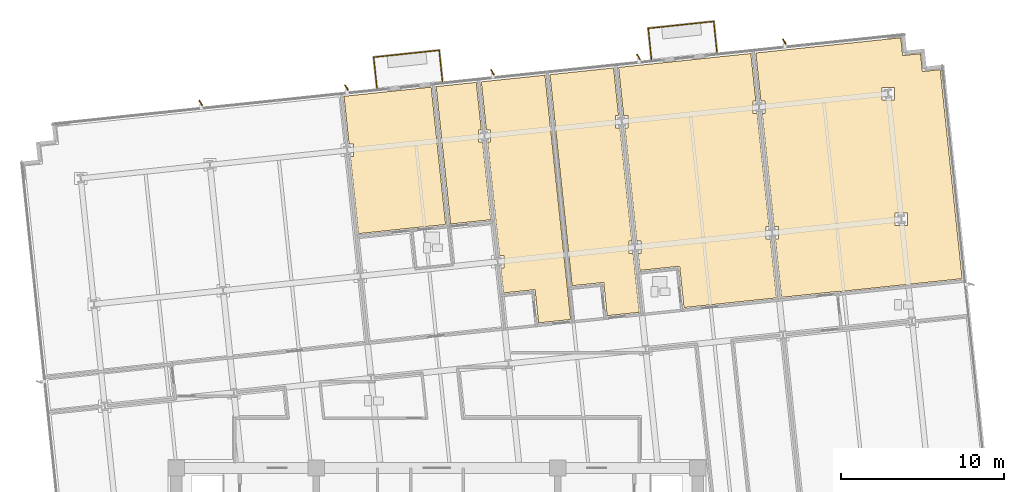
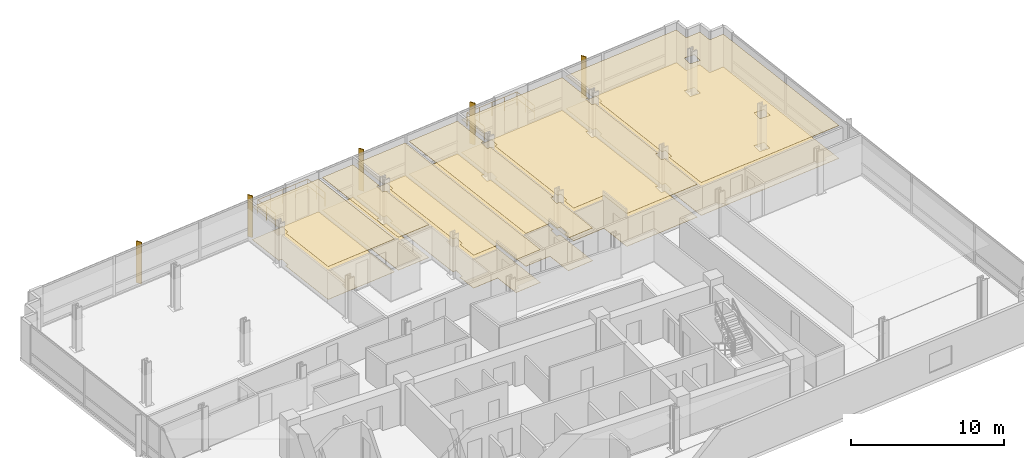
# One storey, part 16 of 17: 12 coverings, 6 railings, 5 shading devices.
"""IFC4 building model written with IfcOpenShell, lengths in metres."""

from ifc_helpers import new_model, si_unit, direction, frame, origin, origin_2d, place, context, subcontext, project, spatial, polyline, rectangle, circle, outline, extrude, material, layer, layer_set, type_object, element, save


model = new_model("IFC4")

# Units and contexts
model_context = context("Model", 3, precision=1e-05, world=origin(), true_north=direction((0.0, 1.0)))
body_context = subcontext(model_context, "Body", "Model", "MODEL_VIEW")
ifc_project = project(units=[si_unit("LENGTHUNIT", "METRE"), si_unit("AREAUNIT", "SQUARE_METRE"), si_unit("VOLUMEUNIT", "CUBIC_METRE"), si_unit("PLANEANGLEUNIT", "RADIAN"), si_unit("MASSUNIT", "GRAM", prefix="KILO")], contexts=[model_context])

# Site, building, storey
site_placement = place(None, origin())
site = spatial("IfcSite", under=ifc_project, at=site_placement, CompositionType="ELEMENT")
building_placement = place(site_placement, origin())
building = spatial("IfcBuilding", under=site, at=building_placement, Name="Solmavex Isthmus Hotel", CompositionType="ELEMENT")
storey_placement = place(building_placement, frame((0.0, 0.0, 93.89990234375)))
storey = spatial("IfcBuildingStorey", under=building, at=storey_placement, Name="L25", CompositionType="ELEMENT", Elevation=93.89990234375)

# Coverings
ifc_material_1 = material(Name="Gypsum plasterboard lining", Category="gypsum")
ifc_layer_1 = layer(ifc_material_1, 0.030029296875)
ifc_layer_set_1 = layer_set([ifc_layer_1], Name="Gypsum plasterboard lining")
covering_type_1 = type_object("IfcCoveringType", Name="COV-CEIL-GYP", PredefinedType="CEILING", material=ifc_layer_set_1)
covering_1_placement = place(storey_placement, frame((0.0, 0.0, 2.6201171875)))
element("IfcCovering", 1, at=covering_1_placement, inside=storey, type_object=covering_type_1, Name="Suspended Acoustic Ceiling L25-TB02", PredefinedType="CEILING", context=body_context, shape_type="SweptSolid", body=[
    extrude(outline(polyline([(-5.391845703125, 17.356689453125), (-5.127685546875, 17.356689453125), (-5.127685546875, 16.5966796875), (-5.31201171875, 16.5966796875), (-4.815673828125, 11.8740234375), (0.528076171875, 12.435546875), (-0.357666015625, 20.861328125), (-5.701171875, 20.299560546875), (-5.391845703125, 17.356689453125)])), origin(), (0.0, 0.0, 1.0), 0.030029296875),
])
covering_2_placement = place(storey_placement, frame((0.0, 0.0, 2.6201171875)))
element("IfcCovering", 2, at=covering_2_placement, inside=storey, type_object=covering_type_1, Name="Suspended Acoustic Ceiling L25-TL02", PredefinedType="CEILING", context=body_context, shape_type="SweptSolid", body=[
    extrude(outline(polyline([(2.7958984375, 17.4814453125), (2.53173828125, 17.4814453125), (2.53173828125, 18.241455078125), (2.716064453125, 18.241455078125), (2.41015625, 21.152099609375), (-0.04931640625, 20.8935546875), (0.836181640625, 12.468017578125), (3.295654296875, 12.7265625), (2.7958984375, 17.4814453125)])), origin(), (0.0, 0.0, 1.0), 0.030029296875),
])
covering_3_placement = place(storey_placement, frame((0.0, 0.0, 2.6201171875)))
element("IfcCovering", 3, at=covering_3_placement, inside=storey, type_object=covering_type_1, Name="Suspended Acoustic Ceiling L25-RM03", PredefinedType="CEILING", context=body_context, shape_type="SweptSolid", body=[
    extrude(outline(polyline([(3.838134765625, 10.531982421875), (4.10205078125, 10.531982421875), (4.10205078125, 9.77197265625), (3.91796875, 9.77197265625), (4.079345703125, 8.23583984375), (6.015869140625, 8.439453125), (6.230224609375, 6.400634765625), (8.1953125, 6.607177734375), (6.619873046875, 21.594482421875), (2.718505859375, 21.1845703125), (3.02783203125, 18.241455078125), (3.291748046875, 18.241455078125), (3.291748046875, 17.4814453125), (3.107666015625, 17.4814453125), (3.838134765625, 10.531982421875)])), origin(), (0.0, 0.0, 1.0), 0.030029296875),
])
covering_4_placement = place(storey_placement, frame((0.0, 0.0, 2.6201171875)))
element("IfcCovering", 4, at=covering_4_placement, inside=storey, type_object=covering_type_1, Name="Suspended Acoustic Ceiling L25-RM04", PredefinedType="CEILING", context=body_context, shape_type="SweptSolid", body=[
    extrude(outline(polyline([(11.215576171875, 18.366455078125), (10.951416015625, 18.366455078125), (10.951416015625, 19.12646484375), (11.1357421875, 19.12646484375), (10.829833984375, 22.037109375), (6.92822265625, 21.626953125), (8.289306640625, 8.67822265625), (10.225830078125, 8.8818359375), (10.43994140625, 6.843017578125), (12.405029296875, 7.049560546875), (12.02587890625, 10.656982421875), (11.76171875, 10.656982421875), (11.76171875, 11.4169921875), (11.946044921875, 11.4169921875), (11.215576171875, 18.366455078125)])), origin(), (0.0, 0.0, 1.0), 0.030029296875),
])
covering_5_placement = place(storey_placement, frame((0.0, 0.0, 2.6201171875)))
element("IfcCovering", 5, at=covering_5_placement, inside=storey, type_object=covering_type_1, Name="Suspended Acoustic Ceiling L25-RM05", PredefinedType="CEILING", context=body_context, shape_type="SweptSolid", body=[
    extrude(outline(polyline([(12.2578125, 11.4169921875), (12.521728515625, 11.4169921875), (12.521728515625, 10.656982421875), (12.337646484375, 10.656982421875), (12.44677734375, 9.617919921875), (14.88330078125, 9.8740234375), (15.14990234375, 7.338134765625), (15.69482421875, 7.395263671875), (17.917724609375, 7.62890625), (20.82470703125, 7.9345703125), (20.445556640625, 11.541748046875), (20.181396484375, 11.541748046875), (20.181396484375, 12.3017578125), (20.36572265625, 12.3017578125), (19.63525390625, 19.25146484375), (19.37109375, 19.25146484375), (19.37109375, 20.011474609375), (19.555419921875, 20.011474609375), (19.24951171875, 22.921875), (11.13818359375, 22.0693359375), (11.447509765625, 19.12646484375), (11.71142578125, 19.12646484375), (11.71142578125, 18.366455078125), (11.52734375, 18.366455078125), (12.2578125, 11.4169921875)])), origin(), (0.0, 0.0, 1.0), 0.030029296875),
])
covering_6_placement = place(storey_placement, frame((0.0, 0.0, 2.6201171875)))
element("IfcCovering", 6, at=covering_6_placement, inside=storey, type_object=covering_type_1, Name="Suspended Acoustic Ceiling L25-RM06", PredefinedType="CEILING", context=body_context, shape_type="SweptSolid", body=[
    extrude(outline(polyline([(20.67724609375, 12.3017578125), (20.94140625, 12.3017578125), (20.94140625, 11.541748046875), (20.75732421875, 11.541748046875), (21.133056640625, 7.967041015625), (24.713134765625, 8.34326171875), (24.71533203125, 8.3232421875), (32.2119140625, 9.111328125), (30.950927734375, 21.110107421875), (30.86474609375, 21.9306640625), (29.770751953125, 21.815673828125), (29.65576171875, 22.90966796875), (28.561767578125, 22.794677734375), (28.44677734375, 23.888671875), (27.626220703125, 23.802490234375), (19.5576171875, 22.954345703125), (19.866943359375, 20.011474609375), (20.131103515625, 20.011474609375), (20.131103515625, 19.25146484375), (19.947021484375, 19.25146484375), (20.67724609375, 12.3017578125)]), holes=[polyline([(28.105712890625, 12.374755859375), (28.105712890625, 13.134765625), (28.86572265625, 13.134765625), (28.86572265625, 12.374755859375), (28.105712890625, 12.374755859375)]), polyline([(27.29541015625, 20.84423828125), (28.055419921875, 20.84423828125), (28.055419921875, 20.084228515625), (27.29541015625, 20.084228515625), (27.29541015625, 20.84423828125)])]), origin(), (0.0, 0.0, 1.0), 0.030029296875),
])
ifc_material_2 = material(Name="Travertine natural stone", Category="masonry")
ifc_layer_2 = layer(ifc_material_2, 0.02490234375)
ifc_layer_set_2 = layer_set([ifc_layer_2], Name="Travertine natural stone")
covering_type_2 = type_object("IfcCoveringType", Name="COV-FLOR-STN", PredefinedType="FLOORING", material=ifc_layer_set_2)
covering_7_placement = place(storey_placement, origin())
element("IfcCovering", 7, at=covering_7_placement, inside=storey, type_object=covering_type_2, Name="Stone and Timber Floor Finish L25-TB02", PredefinedType="FLOORING", context=body_context, shape_type="SweptSolid", body=[
    extrude(outline(polyline([(-5.391845703125, 17.356689453125), (-5.127685546875, 17.356689453125), (-5.127685546875, 16.5966796875), (-5.31201171875, 16.5966796875), (-4.815673828125, 11.8740234375), (0.528076171875, 12.435546875), (-0.357666015625, 20.861328125), (-5.701171875, 20.299560546875), (-5.391845703125, 17.356689453125)])), origin(), (0.0, 0.0, 1.0), 0.025146484375),
])
covering_8_placement = place(storey_placement, origin())
element("IfcCovering", 8, at=covering_8_placement, inside=storey, type_object=covering_type_2, Name="Stone and Timber Floor Finish L25-TL02", PredefinedType="FLOORING", context=body_context, shape_type="SweptSolid", body=[
    extrude(outline(polyline([(2.7958984375, 17.4814453125), (2.53173828125, 17.4814453125), (2.53173828125, 18.241455078125), (2.716064453125, 18.241455078125), (2.41015625, 21.152099609375), (-0.04931640625, 20.8935546875), (0.836181640625, 12.468017578125), (3.295654296875, 12.7265625), (2.7958984375, 17.4814453125)])), origin(), (0.0, 0.0, 1.0), 0.025146484375),
])
covering_9_placement = place(storey_placement, origin())
element("IfcCovering", 9, at=covering_9_placement, inside=storey, type_object=covering_type_2, Name="Stone and Timber Floor Finish L25-RM03", PredefinedType="FLOORING", context=body_context, shape_type="SweptSolid", body=[
    extrude(outline(polyline([(3.838134765625, 10.531982421875), (4.10205078125, 10.531982421875), (4.10205078125, 9.77197265625), (3.91796875, 9.77197265625), (4.079345703125, 8.23583984375), (6.015869140625, 8.439453125), (6.230224609375, 6.400634765625), (8.1953125, 6.607177734375), (6.619873046875, 21.594482421875), (2.718505859375, 21.1845703125), (3.02783203125, 18.241455078125), (3.291748046875, 18.241455078125), (3.291748046875, 17.4814453125), (3.107666015625, 17.4814453125), (3.838134765625, 10.531982421875)])), origin(), (0.0, 0.0, 1.0), 0.025146484375),
])
covering_10_placement = place(storey_placement, origin())
element("IfcCovering", 10, at=covering_10_placement, inside=storey, type_object=covering_type_2, Name="Stone and Timber Floor Finish L25-RM04", PredefinedType="FLOORING", context=body_context, shape_type="SweptSolid", body=[
    extrude(outline(polyline([(11.215576171875, 18.366455078125), (10.951416015625, 18.366455078125), (10.951416015625, 19.12646484375), (11.1357421875, 19.12646484375), (10.829833984375, 22.037109375), (6.92822265625, 21.626953125), (8.289306640625, 8.67822265625), (10.225830078125, 8.8818359375), (10.43994140625, 6.843017578125), (12.405029296875, 7.049560546875), (12.02587890625, 10.656982421875), (11.76171875, 10.656982421875), (11.76171875, 11.4169921875), (11.946044921875, 11.4169921875), (11.215576171875, 18.366455078125)])), origin(), (0.0, 0.0, 1.0), 0.025146484375),
])
covering_11_placement = place(storey_placement, origin())
element("IfcCovering", 11, at=covering_11_placement, inside=storey, type_object=covering_type_2, Name="Stone and Timber Floor Finish L25-RM05", PredefinedType="FLOORING", context=body_context, shape_type="SweptSolid", body=[
    extrude(outline(polyline([(12.2578125, 11.4169921875), (12.521728515625, 11.4169921875), (12.521728515625, 10.656982421875), (12.337646484375, 10.656982421875), (12.44677734375, 9.617919921875), (14.88330078125, 9.8740234375), (15.14990234375, 7.338134765625), (15.69482421875, 7.395263671875), (17.917724609375, 7.62890625), (20.82470703125, 7.9345703125), (20.445556640625, 11.541748046875), (20.181396484375, 11.541748046875), (20.181396484375, 12.3017578125), (20.36572265625, 12.3017578125), (19.63525390625, 19.25146484375), (19.37109375, 19.25146484375), (19.37109375, 20.011474609375), (19.555419921875, 20.011474609375), (19.24951171875, 22.921875), (11.13818359375, 22.0693359375), (11.447509765625, 19.12646484375), (11.71142578125, 19.12646484375), (11.71142578125, 18.366455078125), (11.52734375, 18.366455078125), (12.2578125, 11.4169921875)])), origin(), (0.0, 0.0, 1.0), 0.025146484375),
])
covering_12_placement = place(storey_placement, origin())
element("IfcCovering", 12, at=covering_12_placement, inside=storey, type_object=covering_type_2, Name="Stone and Timber Floor Finish L25-RM06", PredefinedType="FLOORING", context=body_context, shape_type="SweptSolid", body=[
    extrude(outline(polyline([(20.67724609375, 12.3017578125), (20.94140625, 12.3017578125), (20.94140625, 11.541748046875), (20.75732421875, 11.541748046875), (21.133056640625, 7.967041015625), (24.713134765625, 8.34326171875), (24.71533203125, 8.3232421875), (32.2119140625, 9.111328125), (30.950927734375, 21.110107421875), (30.86474609375, 21.9306640625), (29.770751953125, 21.815673828125), (29.65576171875, 22.90966796875), (28.561767578125, 22.794677734375), (28.44677734375, 23.888671875), (27.626220703125, 23.802490234375), (19.5576171875, 22.954345703125), (19.866943359375, 20.011474609375), (20.131103515625, 20.011474609375), (20.131103515625, 19.25146484375), (19.947021484375, 19.25146484375), (20.67724609375, 12.3017578125)]), holes=[polyline([(28.105712890625, 12.374755859375), (28.105712890625, 13.134765625), (28.86572265625, 13.134765625), (28.86572265625, 12.374755859375), (28.105712890625, 12.374755859375)]), polyline([(27.29541015625, 20.84423828125), (28.055419921875, 20.84423828125), (28.055419921875, 20.084228515625), (27.29541015625, 20.084228515625), (27.29541015625, 20.84423828125)])]), origin(), (0.0, 0.0, 1.0), 0.025146484375),
])

# Railings
ifc_material_3 = material(Name="Clear low-E laminated glass", Category="glass")
ifc_layer_3 = layer(ifc_material_3, 0.070068359375)
ifc_layer_set_3 = layer_set([ifc_layer_3], Name="Clear low-E laminated glass")
railing_type = type_object("IfcRailingType", Name="RAIL-GUARD-1100", PredefinedType="BALUSTRADE", material=ifc_layer_set_3)
railing_1_placement = place(storey_placement, frame((-3.68310546875, 20.7880859375, 0.0)))
element("IfcRailing", 13, at=railing_1_placement, inside=storey, type_object=railing_type, Name="Guardrail Balustrade L25-BAL1-01", PredefinedType="BALUSTRADE", context=body_context, shape_type="SweptSolid", body=[
    extrude(circle(Radius=0.02392578125, at=origin_2d()), frame((0.0, 0.0, 1.09619140625), z_axis=(-0.104512702575, 0.994523551758, 0.0), x_axis=(-0.994523551758, -0.104512702575, 0.0)), (0.0, 0.0, 1.0), 1.920166015625),
    extrude(circle(Radius=0.02392578125, at=origin_2d()), frame((0.0, 0.0, 0.56005859375), z_axis=(-0.104512702575, 0.994523551758, 0.0), x_axis=(-0.994523551758, -0.104512702575, 0.0)), (0.0, 0.0, 1.0), 1.920166015625),
    extrude(circle(Radius=0.02099609375, at=origin_2d()), origin(), (0.0, 0.0, 1.0), 1.072021484375),
    extrude(circle(Radius=0.02099609375, at=origin_2d()), frame((-0.100341796875, 0.954833984375, 0.0)), (0.0, 0.0, 1.0), 1.072021484375),
    extrude(circle(Radius=0.02099609375, at=origin_2d()), frame((-0.20068359375, 1.90966796875, 0.0)), (0.0, 0.0, 1.0), 1.072021484375),
])
railing_2_placement = place(storey_placement, frame((-3.8837890625, 22.69775390625, 0.0)))
element("IfcRailing", 14, at=railing_2_placement, inside=storey, type_object=railing_type, Name="Guardrail Balustrade L25-BAL1-02", PredefinedType="BALUSTRADE", context=body_context, shape_type="SweptSolid", body=[
    extrude(circle(Radius=0.02392578125, at=origin_2d()), frame((0.0, 0.0, 1.09619140625), z_axis=(0.994526294567, 0.104486599216, 0.0), x_axis=(-0.104486599216, 0.994526294567, 0.0)), (0.0, 0.0, 1.0), 4.0400390625),
    extrude(circle(Radius=0.02392578125, at=origin_2d()), frame((0.0, 0.0, 0.56005859375), z_axis=(0.994526294567, 0.104486599216, 0.0), x_axis=(-0.104486599216, 0.994526294567, 0.0)), (0.0, 0.0, 1.0), 4.0400390625),
    extrude(circle(Radius=0.02099609375, at=origin_2d()), origin(), (0.0, 0.0, 1.0), 1.072021484375),
    extrude(circle(Radius=0.02099609375, at=origin_2d()), frame((1.00439453125, 0.10546875, 0.0)), (0.0, 0.0, 1.0), 1.072021484375),
    extrude(circle(Radius=0.02099609375, at=origin_2d()), frame((2.0087890625, 0.2109375, 0.0)), (0.0, 0.0, 1.0), 1.072021484375),
    extrude(circle(Radius=0.02099609375, at=origin_2d()), frame((3.013427734375, 0.316650390625, 0.0)), (0.0, 0.0, 1.0), 1.072021484375),
    extrude(circle(Radius=0.02099609375, at=origin_2d()), frame((4.017822265625, 0.422119140625, 0.0)), (0.0, 0.0, 1.0), 1.072021484375),
])
railing_3_placement = place(storey_placement, frame((0.134033203125, 23.119873046875, 0.0)))
element("IfcRailing", 15, at=railing_3_placement, inside=storey, type_object=railing_type, Name="Guardrail Balustrade L25-BAL1-03", PredefinedType="BALUSTRADE", context=body_context, shape_type="SweptSolid", body=[
    extrude(circle(Radius=0.02392578125, at=origin_2d()), frame((0.0, 0.0, 1.09619140625), z_axis=(0.104525919671, -0.994522162708, 0.0), x_axis=(0.994522162708, 0.104525919671, 0.0)), (0.0, 0.0, 1.0), 1.919921875),
    extrude(circle(Radius=0.02392578125, at=origin_2d()), frame((0.0, 0.0, 0.56005859375), z_axis=(0.104525919671, -0.994522162708, 0.0), x_axis=(0.994522162708, 0.104525919671, 0.0)), (0.0, 0.0, 1.0), 1.919921875),
    extrude(circle(Radius=0.02099609375, at=origin_2d()), origin(), (0.0, 0.0, 1.0), 1.072021484375),
    extrude(circle(Radius=0.02099609375, at=origin_2d()), frame((0.100341796875, -0.95458984375, 0.0)), (0.0, 0.0, 1.0), 1.072021484375),
    extrude(circle(Radius=0.02099609375, at=origin_2d()), frame((0.20068359375, -1.909423828125, 0.0)), (0.0, 0.0, 1.0), 1.072021484375),
])
railing_4_placement = place(storey_placement, frame((13.156005859375, 22.55810546875, 0.0)))
element("IfcRailing", 16, at=railing_4_placement, inside=storey, type_object=railing_type, Name="Guardrail Balustrade L25-BAL2-01", PredefinedType="BALUSTRADE", context=body_context, shape_type="SweptSolid", body=[
    extrude(circle(Radius=0.02392578125, at=origin_2d()), frame((0.0, 0.0, 1.09619140625), z_axis=(-0.104525919671, 0.994522162708, 0.0), x_axis=(-0.994522162708, -0.104525919671, 0.0)), (0.0, 0.0, 1.0), 1.919921875),
    extrude(circle(Radius=0.02392578125, at=origin_2d()), frame((0.0, 0.0, 0.56005859375), z_axis=(-0.104525919671, 0.994522162708, 0.0), x_axis=(-0.994522162708, -0.104525919671, 0.0)), (0.0, 0.0, 1.0), 1.919921875),
    extrude(circle(Radius=0.02099609375, at=origin_2d()), origin(), (0.0, 0.0, 1.0), 1.072021484375),
    extrude(circle(Radius=0.02099609375, at=origin_2d()), frame((-0.100341796875, 0.95458984375, 0.0)), (0.0, 0.0, 1.0), 1.072021484375),
    extrude(circle(Radius=0.02099609375, at=origin_2d()), frame((-0.20068359375, 1.909423828125, 0.0)), (0.0, 0.0, 1.0), 1.072021484375),
])
railing_5_placement = place(storey_placement, frame((12.955322265625, 24.467529296875, 0.0)))
element("IfcRailing", 17, at=railing_5_placement, inside=storey, type_object=railing_type, Name="Guardrail Balustrade L25-BAL2-02", PredefinedType="BALUSTRADE", context=body_context, shape_type="SweptSolid", body=[
    extrude(circle(Radius=0.02392578125, at=origin_2d()), frame((0.0, 0.0, 1.09619140625), z_axis=(0.994520013058, 0.104546370699, 0.0), x_axis=(-0.104546370699, 0.994520013058, 0.0)), (0.0, 0.0, 1.0), 4.0400390625),
    extrude(circle(Radius=0.02392578125, at=origin_2d()), frame((0.0, 0.0, 0.56005859375), z_axis=(0.994520013058, 0.104546370699, 0.0), x_axis=(-0.104546370699, 0.994520013058, 0.0)), (0.0, 0.0, 1.0), 4.0400390625),
    extrude(circle(Radius=0.02099609375, at=origin_2d()), origin(), (0.0, 0.0, 1.0), 1.072021484375),
    extrude(circle(Radius=0.02099609375, at=origin_2d()), frame((1.00439453125, 0.10546875, 0.0)), (0.0, 0.0, 1.0), 1.072021484375),
    extrude(circle(Radius=0.02099609375, at=origin_2d()), frame((2.0087890625, 0.211181640625, 0.0)), (0.0, 0.0, 1.0), 1.072021484375),
    extrude(circle(Radius=0.02099609375, at=origin_2d()), frame((3.013427734375, 0.31689453125, 0.0)), (0.0, 0.0, 1.0), 1.072021484375),
    extrude(circle(Radius=0.02099609375, at=origin_2d()), frame((4.017822265625, 0.42236328125, 0.0)), (0.0, 0.0, 1.0), 1.072021484375),
])
railing_6_placement = place(storey_placement, frame((16.97314453125, 24.889892578125, 0.0)))
element("IfcRailing", 18, at=railing_6_placement, inside=storey, type_object=railing_type, Name="Guardrail Balustrade L25-BAL2-03", PredefinedType="BALUSTRADE", context=body_context, shape_type="SweptSolid", body=[
    extrude(circle(Radius=0.02392578125, at=origin_2d()), frame((0.0, 0.0, 1.09619140625), z_axis=(0.104525919671, -0.994522162708, 0.0), x_axis=(0.994522162708, 0.104525919671, 0.0)), (0.0, 0.0, 1.0), 1.919921875),
    extrude(circle(Radius=0.02392578125, at=origin_2d()), frame((0.0, 0.0, 0.56005859375), z_axis=(0.104525919671, -0.994522162708, 0.0), x_axis=(0.994522162708, 0.104525919671, 0.0)), (0.0, 0.0, 1.0), 1.919921875),
    extrude(circle(Radius=0.02099609375, at=origin_2d()), origin(), (0.0, 0.0, 1.0), 1.072021484375),
    extrude(circle(Radius=0.02099609375, at=origin_2d()), frame((0.100341796875, -0.95458984375, 0.0)), (0.0, 0.0, 1.0), 1.072021484375),
    extrude(circle(Radius=0.02099609375, at=origin_2d()), frame((0.20068359375, -1.909423828125, 0.0)), (0.0, 0.0, 1.0), 1.072021484375),
])

# Shading devices
ifc_material_4 = material(Name="Aluminium alloy 6063-T6", Category="aluminium")
shading_device_type = type_object("IfcShadingDeviceType", Name="SHD-FIN-CHAMP", PredefinedType="USERDEFINED", material=ifc_material_4)
for number, where, z_axis, x_axis, name in (
    (19, (-14.495849609375, 19.89306640625, -0.139892578125), (0.0, 0.0, 1.0), (-0.529919264233, 0.848048096156, 0.0), "Anodised Aluminium Solar Fin L25-N1"),
    (20, (-5.545166015625, 20.833740234375, -0.139892578125), (0.0, 0.0, 1.0), (-0.529919264233, 0.848048096156, 0.0), "Anodised Aluminium Solar Fin L25-N2"),
    (21, (3.405517578125, 21.774658203125, -0.139892578125), (0.0, 0.0, 1.0), (-0.529919264233, 0.848048096156, 0.0), "Anodised Aluminium Solar Fin L25-N3"),
    (22, (12.356201171875, 22.71533203125, -0.139892578125), (0.0, 0.0, 1.0), (-0.529919264233, 0.848048096156, 0.0), "Anodised Aluminium Solar Fin L25-N4"),
    (23, (21.306884765625, 23.656005859375, -0.139892578125), (0.0, 0.0, 1.0), (-0.529919264233, 0.848048096156, 0.0), "Anodised Aluminium Solar Fin L25-N5"),
):
    element("IfcShadingDevice", number, at=place(storey_placement, frame(where, z_axis=z_axis, x_axis=x_axis)), inside=storey, type_object=shading_device_type, Name=name, ObjectType="SOLAR_FIN", PredefinedType="USERDEFINED", context=body_context, shape_type="SweptSolid", body=[
        extrude(rectangle(XDim=0.3798828125, YDim=0.070068359375, at=origin_2d()), origin(), (0.0, 0.0, 1.0), 3.330078125),
    ])

save(model, "model.ifc")
